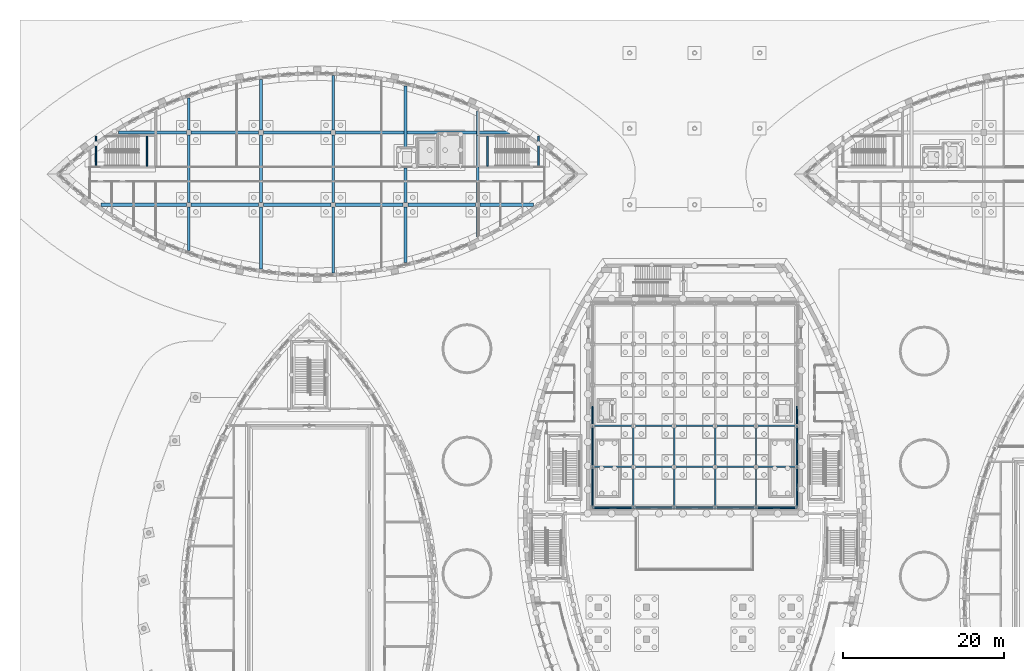
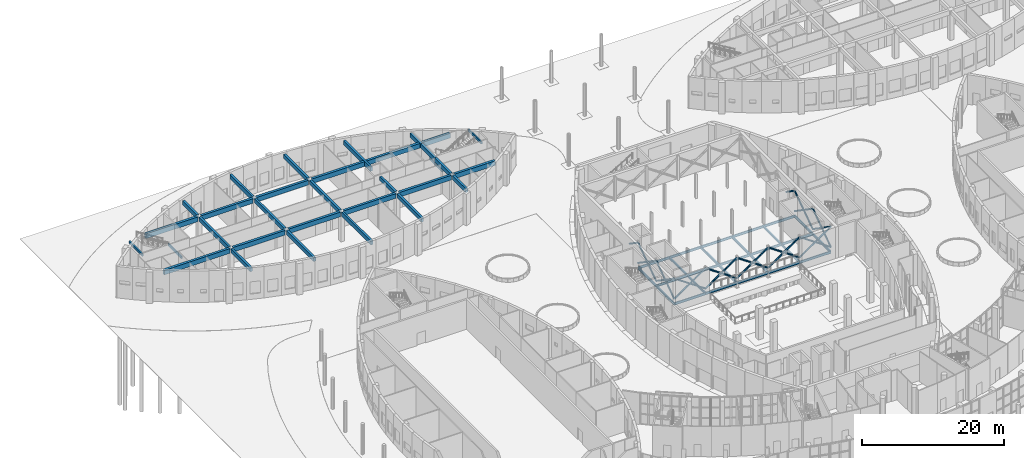
# One storey, part 25 of 82: 57 beams, 29 members.
"""IFC4 building model written with IfcOpenShell, lengths in metres."""

import ifcopenshell
import ifcopenshell.guid

model = None  # the IFC model being written
_history = None  # IfcOwnerHistory: only IFC2X3 demands one
_inside = {}  # id of a spatial element -> (the spatial element, [elements in it])
_under = {}  # id of a project, library or spatial element -> (it, [spatial elements below it])
_declared = {}  # id of a project -> (the project, [libraries it declares])
_typed = {}  # id of a type object -> (the type object, [elements of that type])
_made_of = {}  # id of a material, layer set ... -> (it, [elements and type objects made of it])


def new_model(schema):
    """Start an empty IFC model of exactly this schema.

    Asked for "IFC4X3", IfcOpenShell would pick the latest addendum, in which some entities
    have other attributes; the version numbers below select the first issue.
    IFC2X3 requires an IfcOwnerHistory on every rooted entity: one is made here for all.
    """
    global model, _history
    if schema == "IFC4X3":
        model = ifcopenshell.file(schema_version=(4, 3, 0, 0))
    else:
        model = ifcopenshell.file(schema=schema)
    _inside.clear()
    _under.clear()
    _declared.clear()
    _typed.clear()
    _made_of.clear()
    _history = None
    if model.schema == "IFC2X3":
        org = make("IfcOrganization", Name="unknown")
        user = make(
            "IfcPersonAndOrganization",
            ThePerson=make("IfcPerson", FamilyName="unknown"),
            TheOrganization=org,
        )
        app = make(
            "IfcApplication",
            ApplicationDeveloper=org,
            Version="unknown",
            ApplicationFullName="unknown",
            ApplicationIdentifier="unknown",
        )
        _history = make(
            "IfcOwnerHistory",
            OwningUser=user,
            OwningApplication=app,
            ChangeAction="ADDED",
            CreationDate=0,
        )
    return model


def make(cls, **values):
    """One entity of the class cls with the attributes given. An attribute that is None is left unset."""
    return model.create_entity(
        cls, **{name: value for name, value in values.items() if value is not None}
    )


def rooted(cls, **values):
    """An entity with a GlobalId (a new one), such as an element, a storey or a relation."""
    return make(cls, GlobalId=ifcopenshell.guid.new(), OwnerHistory=_history, **values)


def si_unit(unit_type, name, prefix=None):
    """IfcSIUnit, for example si_unit("LENGTHUNIT", "METRE", prefix="MILLI")."""
    return make("IfcSIUnit", UnitType=unit_type, Prefix=prefix, Name=name)


def assignment(units):
    """IfcUnitAssignment: the units of a project."""
    return None if units is None else make("IfcUnitAssignment", Units=units)


def point(xyz):
    """IfcCartesianPoint."""
    return None if xyz is None else make("IfcCartesianPoint", Coordinates=xyz)


def direction(xyz):
    """IfcDirection."""
    return None if xyz is None else make("IfcDirection", DirectionRatios=xyz)


def frame(location, z_axis=None, x_axis=None):
    """IfcAxis2Placement3D, a coordinate frame: its origin and axes. An axis left out is left unset."""
    return make(
        "IfcAxis2Placement3D",
        Location=point(location),
        Axis=direction(z_axis),
        RefDirection=direction(x_axis),
    )


def frame_2d(location, x_axis=None):
    """IfcAxis2Placement2D, a coordinate frame in the plane: its origin and x axis."""
    return make(
        "IfcAxis2Placement2D", Location=point(location), RefDirection=direction(x_axis)
    )


def origin():
    """The frame at (0, 0, 0) with its axes left unset."""
    return frame((0.0, 0.0, 0.0))


def origin_2d():
    """The frame at (0, 0) in the plane with its x axis left unset."""
    return frame_2d((0.0, 0.0))


def place(relative_to, where):
    """IfcLocalPlacement: puts the frame where relative to a parent placement (None: the world)."""
    return make(
        "IfcLocalPlacement", PlacementRelTo=relative_to, RelativePlacement=where
    )


def context(
    kind, dimensions, precision=None, world=None, true_north=None, identifier=None
):
    """IfcGeometricRepresentationContext, for example the 3D "Model" context."""
    return make(
        "IfcGeometricRepresentationContext",
        ContextIdentifier=identifier,
        ContextType=kind,
        CoordinateSpaceDimension=dimensions,
        Precision=precision,
        WorldCoordinateSystem=world,
        TrueNorth=true_north,
    )


def subcontext(parent, identifier, kind, view, scale=None):
    """IfcGeometricRepresentationSubContext, for example "Body" below "Model"."""
    return make(
        "IfcGeometricRepresentationSubContext",
        ContextIdentifier=identifier,
        ContextType=kind,
        ParentContext=parent,
        TargetScale=scale,
        TargetView=view,
    )


def project(units=None, contexts=None):
    """IfcProject with its units and contexts."""
    return rooted(
        "IfcProject",
        Name="project",
        RepresentationContexts=contexts,
        UnitsInContext=assignment(units),
    )


def spatial(cls, under=None, at=None, **own):
    """A site, building, storey or space (cls), placed at a placement, below another one or the project."""
    s = rooted(cls, ObjectPlacement=at, **own)
    if under is not None:
        _under.setdefault(under.id(), (under, []))[1].append(s)
    return s


def profile(cls, at=None, kind="AREA", **sizes):
    """A parametric profile (cls). Its sizes go by their IFC names, for example OverallWidth=200.0."""
    return make(cls, ProfileType=kind, Position=at, **sizes)


def rectangle(**sizes):
    """IfcRectangleProfileDef."""
    return profile("IfcRectangleProfileDef", **sizes)


def hollow_circle(**sizes):
    """IfcCircleHollowProfileDef."""
    return profile("IfcCircleHollowProfileDef", **sizes)


def i_section(**sizes):
    """IfcIShapeProfileDef."""
    return profile("IfcIShapeProfileDef", **sizes)


def extrude(swept, where, along, depth):
    """IfcExtrudedAreaSolid: the profile swept, set in the frame where, extruded along a direction by depth."""
    return make(
        "IfcExtrudedAreaSolid",
        SweptArea=swept,
        Position=where,
        ExtrudedDirection=direction(along),
        Depth=depth,
    )


def shape(context_of_items, identifier, shape_type, items):
    """IfcShapeRepresentation: the items that make up one representation, for example the "Body"."""
    return make(
        "IfcShapeRepresentation",
        ContextOfItems=context_of_items,
        RepresentationIdentifier=identifier,
        RepresentationType=shape_type,
        Items=items,
    )


def material(Name=None, Category=None):
    """IfcMaterial."""
    return make("IfcMaterial", Name=Name, Category=Category)


def material_profile(
    of_material, cross_section, Name=None, Category=None, Priority=None
):
    """IfcMaterialProfile: a cross section and its material."""
    return make(
        "IfcMaterialProfile",
        Name=Name,
        Material=of_material,
        Profile=cross_section,
        Priority=Priority,
        Category=Category,
    )


def profile_set(profiles, Name=None, composite=None):
    """IfcMaterialProfileSet."""
    return make(
        "IfcMaterialProfileSet",
        Name=Name,
        MaterialProfiles=profiles,
        CompositeProfile=composite,
    )


def made_of(thing, what):
    """Note that an element or type object is made of a material, layer set ...; save() writes the relation."""
    if what is not None:
        _made_of.setdefault(what.id(), (what, []))[1].append(thing)
    return thing


def type_object(cls, material=None, **own):
    """A type object (cls), such as IfcWallType, which elements share."""
    return made_of(rooted(cls, **own), material)


def element(
    cls,
    number,
    at=None,
    inside=None,
    cuts=None,
    type_object=None,
    material=None,
    context=None,
    identifier="Body",
    shape_type=None,
    held_by="IfcProductDefinitionShape",
    body=None,
    shapes=None,
    **own,
):
    """One element of the class cls, such as IfcWall. Its Tag is "e" and its number.

    at: its placement. inside: the storey or other place that contains it. cuts: it is an
    opening in that element (IfcRelVoidsElement). A single representation is given by context,
    identifier, shape_type and body (its items); several are given by shapes. held_by: the class
    of the entity that holds the representations. save() writes the other relations.
    """
    e = rooted(cls, Tag="e%d" % number, ObjectPlacement=at, **own)
    if body is not None:
        shapes = [shape(context, identifier, shape_type, body)]
    if shapes is not None:
        e.Representation = make(held_by, Representations=shapes)
    if inside is not None:
        _inside.setdefault(inside.id(), (inside, []))[1].append(e)
    if cuts is not None:
        rooted(
            "IfcRelVoidsElement", RelatingBuildingElement=cuts, RelatedOpeningElement=e
        )
    if type_object is not None:
        _typed.setdefault(type_object.id(), (type_object, []))[1].append(e)
    return made_of(e, material)


def aggregate(whole, parts):
    """IfcRelAggregates: a whole, such as a stair, and the parts it consists of."""
    return rooted("IfcRelAggregates", RelatingObject=whole, RelatedObjects=parts)


def save(model, path):
    """Write the relations noted so far, then the file.

    IfcRelAggregates (storeys below a building ...), IfcRelContainedInSpatialStructure (elements
    in a storey), IfcRelDefinesByType, IfcRelAssociatesMaterial and IfcRelDeclares: one each for
    every whole, place, type object, material and project.
    """
    for whole, parts in _under.values():
        aggregate(whole, parts)
    for where, things in _inside.values():
        rooted(
            "IfcRelContainedInSpatialStructure",
            RelatedElements=things,
            RelatingStructure=where,
        )
    for kind, things in _typed.values():
        rooted("IfcRelDefinesByType", RelatedObjects=things, RelatingType=kind)
    for what, things in _made_of.values():
        rooted("IfcRelAssociatesMaterial", RelatedObjects=things, RelatingMaterial=what)
    for by, libraries in _declared.values():
        rooted("IfcRelDeclares", RelatingContext=by, RelatedDefinitions=libraries)
    model.write(path)


model = new_model("IFC4")

# Units and contexts
model_context = context("Model", 3, precision=1e-05, world=origin(), true_north=direction((0.0, 1.0)))
body_context = subcontext(model_context, "Body", "Model", "MODEL_VIEW")
ifc_project = project(units=[si_unit("LENGTHUNIT", "METRE"), si_unit("AREAUNIT", "SQUARE_METRE"), si_unit("VOLUMEUNIT", "CUBIC_METRE"), si_unit("PLANEANGLEUNIT", "RADIAN"), si_unit("MASSUNIT", "GRAM", prefix="KILO")], contexts=[model_context])

# Site, building, storey
site_placement = place(None, origin())
site = spatial("IfcSite", under=ifc_project, at=site_placement, CompositionType="ELEMENT")
building_placement = place(site_placement, origin())
building = spatial("IfcBuilding", under=site, at=building_placement, Name="Tide Square Theatres", CompositionType="ELEMENT")
storey_placement = place(building_placement, origin())
storey = spatial("IfcBuildingStorey", under=building, at=storey_placement, Name="L00", CompositionType="ELEMENT", Elevation=0.0)

# Beams
ifc_material_1 = material(Name="Concrete C35", Category="concrete")
ifc_material_profile_1 = material_profile(ifc_material_1, rectangle(XDim=0.199951171875, YDim=0.39990234375, at=origin_2d()))
ifc_profile_set_1 = profile_set([ifc_material_profile_1], Name="Concrete C35")
beam_type_1 = type_object("IfcBeamType", Name="RC beam 200 x 400", PredefinedType="BEAM", material=ifc_profile_set_1)
for number, where, z_axis, x_axis, name in (
    (1, (9.449951171875, 98.800048828125, 4.919921875), (0.0, 1.0, 0.0), (-1.0, 0.0, 0.0), "Scenery Workshops stair floor landing beam"),
    (2, (15.799560546875, 98.800048828125, 2.300048828125), (0.0, 1.0, 0.0), (-1.0, 0.0, 0.0), "Scenery Workshops stair landing beam"),
    (3, (64.550048828125, 102.550048828125, 4.919921875), (0.0, -1.0, 0.0), (1.0, 0.0, 0.0), "Scenery Workshops stair floor landing beam"),
    (4, (58.200439453125, 98.800048828125, 2.300048828125), (0.0, 1.0, 0.0), (-1.0, 0.0, 0.0), "Scenery Workshops stair landing beam"),
):
    element("IfcBeam", number, at=place(storey_placement, frame(where, z_axis=z_axis, x_axis=x_axis)), inside=storey, type_object=beam_type_1, Name=name, PredefinedType="BEAM", context=body_context, shape_type="SweptSolid", body=[
        extrude(rectangle(XDim=0.199951171875, YDim=0.39990234375, at=origin_2d()), origin(), (0.0, 0.0, 1.0), 3.75),
    ])
ifc_material_2 = material(Name="Concrete C35", Category="concrete")
ifc_material_profile_2 = material_profile(ifc_material_2, rectangle(XDim=0.35009765625, YDim=0.699951171875, at=origin_2d()))
ifc_profile_set_2 = profile_set([ifc_material_profile_2], Name="Concrete C35")
beam_type_2 = type_object("IfcBeamType", Name="RC beam 350 x 700", PredefinedType="BEAM", material=ifc_profile_set_2)
beam_1_placement = place(storey_placement, frame((21.0, 88.2958984375, 4.77001953125), z_axis=(0.0, 1.0, 0.0), x_axis=(-1.0, 0.0, 0.0)))
element("IfcBeam", 5, at=beam_1_placement, inside=storey, type_object=beam_type_2, Name="Scenery Workshops floor beam L01 11", PredefinedType="BEAM", context=body_context, shape_type="SweptSolid", body=[
    extrude(rectangle(XDim=0.35009765625, YDim=0.699951171875, at=origin_2d()), origin(), (0.0, 0.0, 1.0), 5.404052734375),
])
beam_2_placement = place(storey_placement, frame((21.0, 94.300048828125, 4.77001953125), z_axis=(0.0, 1.0, 0.0), x_axis=(-1.0, 0.0, 0.0)))
element("IfcBeam", 6, at=beam_2_placement, inside=storey, type_object=beam_type_2, Name="Scenery Workshops floor beam L01 12", PredefinedType="BEAM", context=body_context, shape_type="SweptSolid", body=[
    extrude(rectangle(XDim=0.35009765625, YDim=0.699951171875, at=origin_2d()), origin(), (0.0, 0.0, 1.0), 8.39990234375),
])
beam_3_placement = place(storey_placement, frame((21.0, 103.300048828125, 4.77001953125), z_axis=(0.0, 1.0, 0.0), x_axis=(-1.0, 0.0, 0.0)))
element("IfcBeam", 7, at=beam_3_placement, inside=storey, type_object=beam_type_2, Name="Scenery Workshops floor beam L01 13", PredefinedType="BEAM", context=body_context, shape_type="SweptSolid", body=[
    extrude(rectangle(XDim=0.35009765625, YDim=0.699951171875, at=origin_2d()), origin(), (0.0, 0.0, 1.0), 4.004150390625),
])
beam_4_placement = place(storey_placement, frame((30.0, 85.99267578125, 4.77001953125), z_axis=(0.0, 1.0, 0.0), x_axis=(-1.0, 0.0, 0.0)))
element("IfcBeam", 8, at=beam_4_placement, inside=storey, type_object=beam_type_2, Name="Scenery Workshops floor beam L01 14", PredefinedType="BEAM", context=body_context, shape_type="SweptSolid", body=[
    extrude(rectangle(XDim=0.35009765625, YDim=0.699951171875, at=origin_2d()), origin(), (0.0, 0.0, 1.0), 7.707275390625),
])
beam_5_placement = place(storey_placement, frame((30.0, 94.300048828125, 4.77001953125), z_axis=(0.0, 1.0, 0.0), x_axis=(-1.0, 0.0, 0.0)))
element("IfcBeam", 9, at=beam_5_placement, inside=storey, type_object=beam_type_2, Name="Scenery Workshops floor beam L01 15", PredefinedType="BEAM", context=body_context, shape_type="SweptSolid", body=[
    extrude(rectangle(XDim=0.35009765625, YDim=0.699951171875, at=origin_2d()), origin(), (0.0, 0.0, 1.0), 8.39990234375),
])
beam_6_placement = place(storey_placement, frame((30.0, 103.300048828125, 4.77001953125), z_axis=(0.0, 1.0, 0.0), x_axis=(-1.0, 0.0, 0.0)))
element("IfcBeam", 10, at=beam_6_placement, inside=storey, type_object=beam_type_2, Name="Scenery Workshops floor beam L01 16", PredefinedType="BEAM", context=body_context, shape_type="SweptSolid", body=[
    extrude(rectangle(XDim=0.35009765625, YDim=0.699951171875, at=origin_2d()), origin(), (0.0, 0.0, 1.0), 6.30712890625),
])
beam_7_placement = place(storey_placement, frame((39.0, 85.501708984375, 4.77001953125), z_axis=(0.0, 1.0, 0.0), x_axis=(-1.0, 0.0, 0.0)))
element("IfcBeam", 11, at=beam_7_placement, inside=storey, type_object=beam_type_2, Name="Scenery Workshops floor beam L01 17", PredefinedType="BEAM", context=body_context, shape_type="SweptSolid", body=[
    extrude(rectangle(XDim=0.35009765625, YDim=0.699951171875, at=origin_2d()), origin(), (0.0, 0.0, 1.0), 8.1982421875),
])
beam_8_placement = place(storey_placement, frame((39.0, 94.300048828125, 4.77001953125), z_axis=(0.0, 1.0, 0.0), x_axis=(-1.0, 0.0, 0.0)))
element("IfcBeam", 12, at=beam_8_placement, inside=storey, type_object=beam_type_2, Name="Scenery Workshops floor beam L01 18", PredefinedType="BEAM", context=body_context, shape_type="SweptSolid", body=[
    extrude(rectangle(XDim=0.35009765625, YDim=0.699951171875, at=origin_2d()), origin(), (0.0, 0.0, 1.0), 8.39990234375),
])
beam_9_placement = place(storey_placement, frame((39.0, 103.300048828125, 4.77001953125), z_axis=(0.0, 1.0, 0.0), x_axis=(-1.0, 0.0, 0.0)))
element("IfcBeam", 13, at=beam_9_placement, inside=storey, type_object=beam_type_2, Name="Scenery Workshops floor beam L01 19", PredefinedType="BEAM", context=body_context, shape_type="SweptSolid", body=[
    extrude(rectangle(XDim=0.35009765625, YDim=0.699951171875, at=origin_2d()), origin(), (0.0, 0.0, 1.0), 6.79833984375),
])
beam_10_placement = place(storey_placement, frame((48.0, 86.7958984375, 4.77001953125), z_axis=(0.0, 1.0, 0.0), x_axis=(-1.0, 0.0, 0.0)))
element("IfcBeam", 14, at=beam_10_placement, inside=storey, type_object=beam_type_2, Name="Scenery Workshops floor beam L01 20", PredefinedType="BEAM", context=body_context, shape_type="SweptSolid", body=[
    extrude(rectangle(XDim=0.35009765625, YDim=0.699951171875, at=origin_2d()), origin(), (0.0, 0.0, 1.0), 6.904052734375),
])
beam_11_placement = place(storey_placement, frame((48.0, 94.300048828125, 4.77001953125), z_axis=(0.0, 1.0, 0.0), x_axis=(-1.0, 0.0, 0.0)))
element("IfcBeam", 15, at=beam_11_placement, inside=storey, type_object=beam_type_2, Name="Scenery Workshops floor beam L01 21", PredefinedType="BEAM", context=body_context, shape_type="SweptSolid", body=[
    extrude(rectangle(XDim=0.35009765625, YDim=0.699951171875, at=origin_2d()), origin(), (0.0, 0.0, 1.0), 4.300048828125),
])
beam_12_placement = place(storey_placement, frame((48.0, 101.199951171875, 4.77001953125), z_axis=(0.0, 1.0, 0.0), x_axis=(-1.0, 0.0, 0.0)))
element("IfcBeam", 16, at=beam_12_placement, inside=storey, type_object=beam_type_2, Name="Scenery Workshops floor beam L01 22", PredefinedType="BEAM", context=body_context, shape_type="SweptSolid", body=[
    extrude(rectangle(XDim=0.35009765625, YDim=0.699951171875, at=origin_2d()), origin(), (0.0, 0.0, 1.0), 7.60400390625),
])
beam_13_placement = place(storey_placement, frame((57.0, 89.957763671875, 4.77001953125), z_axis=(0.0, 1.0, 0.0), x_axis=(-1.0, 0.0, 0.0)))
element("IfcBeam", 17, at=beam_13_placement, inside=storey, type_object=beam_type_2, Name="Scenery Workshops floor beam L01 23", PredefinedType="BEAM", context=body_context, shape_type="SweptSolid", body=[
    extrude(rectangle(XDim=0.35009765625, YDim=0.699951171875, at=origin_2d()), origin(), (0.0, 0.0, 1.0), 3.7421875),
])
beam_14_placement = place(storey_placement, frame((57.0, 94.300048828125, 4.77001953125), z_axis=(0.0, 1.0, 0.0), x_axis=(-1.0, 0.0, 0.0)))
element("IfcBeam", 18, at=beam_14_placement, inside=storey, type_object=beam_type_2, Name="Scenery Workshops floor beam L01 24", PredefinedType="BEAM", context=body_context, shape_type="SweptSolid", body=[
    extrude(rectangle(XDim=0.35009765625, YDim=0.699951171875, at=origin_2d()), origin(), (0.0, 0.0, 1.0), 4.39990234375),
])
beam_15_placement = place(storey_placement, frame((57.0, 98.699951171875, 4.77001953125), z_axis=(0.0, 1.0, 0.0), x_axis=(-1.0, 0.0, 0.0)))
element("IfcBeam", 19, at=beam_15_placement, inside=storey, type_object=beam_type_2, Name="Scenery Workshops floor beam L01 25", PredefinedType="BEAM", context=body_context, shape_type="SweptSolid", body=[
    extrude(rectangle(XDim=0.35009765625, YDim=0.699951171875, at=origin_2d()), origin(), (0.0, 0.0, 1.0), 3.949951171875),
])
beam_16_placement = place(storey_placement, frame((57.0, 102.64990234375, 4.77001953125), z_axis=(0.0, 1.0, 0.0), x_axis=(-1.0, 0.0, 0.0)))
element("IfcBeam", 20, at=beam_16_placement, inside=storey, type_object=beam_type_2, Name="Scenery Workshops floor beam L01 26", PredefinedType="BEAM", context=body_context, shape_type="SweptSolid", body=[
    extrude(rectangle(XDim=0.35009765625, YDim=0.699951171875, at=origin_2d()), origin(), (0.0, 0.0, 1.0), 2.9921875),
])
ifc_material_3 = material(Name="Concrete C35", Category="concrete")
ifc_material_profile_3 = material_profile(ifc_material_3, rectangle(XDim=0.39990234375, YDim=0.800048828125, at=origin_2d()))
ifc_profile_set_3 = profile_set([ifc_material_profile_3], Name="Concrete C35")
beam_type_3 = type_object("IfcBeamType", Name="RC beam 400 x 800", PredefinedType="BEAM", material=ifc_profile_set_3)
beam_17_placement = place(storey_placement, frame((10.08837890625, 94.0, 4.719970703125), z_axis=(1.0, 0.0, 0.0), x_axis=(0.0, 1.0, 0.0)))
element("IfcBeam", 21, at=beam_17_placement, inside=storey, type_object=beam_type_3, Name="Scenery Workshops floor beam L01 1", PredefinedType="BEAM", context=body_context, shape_type="SweptSolid", body=[
    extrude(rectangle(XDim=0.39990234375, YDim=0.800048828125, at=origin_2d()), origin(), (0.0, 0.0, 1.0), 10.611572265625),
])
for number, where, z_axis, x_axis, name in (
    (22, (21.300048828125, 94.0, 4.719970703125), (1.0, 0.0, 0.0), (0.0, 1.0, 0.0), "Scenery Workshops floor beam L01 2"),
    (23, (30.300048828125, 94.0, 4.719970703125), (1.0, 0.0, 0.0), (0.0, 1.0, 0.0), "Scenery Workshops floor beam L01 3"),
    (24, (39.300048828125, 94.0, 4.719970703125), (1.0, 0.0, 0.0), (0.0, 1.0, 0.0), "Scenery Workshops floor beam L01 4"),
    (25, (48.300048828125, 94.0, 4.719970703125), (1.0, 0.0, 0.0), (0.0, 1.0, 0.0), "Scenery Workshops floor beam L01 5"),
):
    element("IfcBeam", number, at=place(storey_placement, frame(where, z_axis=z_axis, x_axis=x_axis)), inside=storey, type_object=beam_type_3, Name=name, PredefinedType="BEAM", context=body_context, shape_type="SweptSolid", body=[
        extrude(rectangle(XDim=0.39990234375, YDim=0.800048828125, at=origin_2d()), origin(), (0.0, 0.0, 1.0), 8.39990234375),
    ])
beam_18_placement = place(storey_placement, frame((57.300048828125, 94.0, 4.719970703125), z_axis=(1.0, 0.0, 0.0), x_axis=(0.0, 1.0, 0.0)))
element("IfcBeam", 26, at=beam_18_placement, inside=storey, type_object=beam_type_3, Name="Scenery Workshops floor beam L01 6", PredefinedType="BEAM", context=body_context, shape_type="SweptSolid", body=[
    extrude(rectangle(XDim=0.39990234375, YDim=0.800048828125, at=origin_2d()), origin(), (0.0, 0.0, 1.0), 6.611572265625),
])
beam_19_placement = place(storey_placement, frame((12.257080078125, 103.0, 4.719970703125), z_axis=(1.0, 0.0, 0.0), x_axis=(0.0, 1.0, 0.0)))
element("IfcBeam", 27, at=beam_19_placement, inside=storey, type_object=beam_type_3, Name="Scenery Workshops floor beam L01 7", PredefinedType="BEAM", context=body_context, shape_type="SweptSolid", body=[
    extrude(rectangle(XDim=0.39990234375, YDim=0.800048828125, at=origin_2d()), origin(), (0.0, 0.0, 1.0), 8.44287109375),
])
for number, where, z_axis, x_axis, name in (
    (28, (21.300048828125, 103.0, 4.719970703125), (1.0, 0.0, 0.0), (0.0, 1.0, 0.0), "Scenery Workshops floor beam L01 8"),
    (29, (30.300048828125, 103.0, 4.719970703125), (1.0, 0.0, 0.0), (0.0, 1.0, 0.0), "Scenery Workshops floor beam L01 9"),
):
    element("IfcBeam", number, at=place(storey_placement, frame(where, z_axis=z_axis, x_axis=x_axis)), inside=storey, type_object=beam_type_3, Name=name, PredefinedType="BEAM", context=body_context, shape_type="SweptSolid", body=[
        extrude(rectangle(XDim=0.39990234375, YDim=0.800048828125, at=origin_2d()), origin(), (0.0, 0.0, 1.0), 8.39990234375),
    ])
beam_20_placement = place(storey_placement, frame((39.300048828125, 103.0, 4.719970703125), z_axis=(1.0, 0.0, 0.0), x_axis=(0.0, 1.0, 0.0)))
element("IfcBeam", 30, at=beam_20_placement, inside=storey, type_object=beam_type_3, Name="Scenery Workshops floor beam L01 10", PredefinedType="BEAM", context=body_context, shape_type="SweptSolid", body=[
    extrude(rectangle(XDim=0.39990234375, YDim=0.800048828125, at=origin_2d()), origin(), (0.0, 0.0, 1.0), 22.44287109375),
])
ifc_material_4 = material(Name="Steel ASTM A572 Grade 50", Category="steel")
ifc_material_profile_4 = material_profile(ifc_material_4, i_section(OverallWidth=0.177001953125, OverallDepth=0.403076171875, WebThickness=0.007568359375, FlangeThickness=0.010986328125, FilletRadius=0.011962890625, at=origin_2d()))
ifc_profile_set_4 = profile_set([ifc_material_profile_4], Name="Steel ASTM A572 Grade 50")
beam_type_4 = type_object("IfcBeamType", Name="Steel beam W 410 x 53.0", PredefinedType="BEAM", material=ifc_profile_set_4)
for number, where, z_axis, x_axis, name in (
    (31, (71.27587890625, 56.27587890625, 0.698486328125), (1.0, 0.0, 0.0), (0.0, 1.0, 0.0), "Stage floor beam"),
    (32, (76.365478515625, 56.27587890625, 0.698486328125), (1.0, 0.0, 0.0), (0.0, 1.0, 0.0), "Stage floor beam"),
):
    element("IfcBeam", number, at=place(storey_placement, frame(where, z_axis=z_axis, x_axis=x_axis)), inside=storey, type_object=beam_type_4, Name=name, PredefinedType="BEAM", context=body_context, shape_type="SweptSolid", body=[
        extrude(i_section(OverallWidth=0.177001953125, OverallDepth=0.403076171875, WebThickness=0.007568359375, FlangeThickness=0.010986328125, FilletRadius=0.011962890625, at=origin_2d()), origin(), (0.0, 0.0, 1.0), 5.089599609375),
    ])
beam_21_placement = place(storey_placement, frame((81.455078125, 56.27587890625, 0.698486328125), z_axis=(1.0, 0.0, 0.0), x_axis=(0.0, 1.0, 0.0)))
element("IfcBeam", 33, at=beam_21_placement, inside=storey, type_object=beam_type_4, Name="Stage floor beam", PredefinedType="BEAM", context=body_context, shape_type="SweptSolid", body=[
    extrude(i_section(OverallWidth=0.177001953125, OverallDepth=0.403076171875, WebThickness=0.007568359375, FlangeThickness=0.010986328125, FilletRadius=0.011962890625, at=origin_2d()), origin(), (0.0, 0.0, 1.0), 5.08984375),
])
for number, where, z_axis, x_axis, name in (
    (34, (86.544921875, 56.27587890625, 0.698486328125), (1.0, 0.0, 0.0), (0.0, 1.0, 0.0), "Stage floor beam"),
    (35, (91.634521484375, 56.27587890625, 0.698486328125), (1.0, 0.0, 0.0), (0.0, 1.0, 0.0), "Stage floor beam"),
    (36, (71.27587890625, 61.365478515625, 0.698486328125), (1.0, 0.0, 0.0), (0.0, 1.0, 0.0), "Stage floor beam"),
    (37, (76.365478515625, 61.365478515625, 0.698486328125), (1.0, 0.0, 0.0), (0.0, 1.0, 0.0), "Stage floor beam"),
):
    element("IfcBeam", number, at=place(storey_placement, frame(where, z_axis=z_axis, x_axis=x_axis)), inside=storey, type_object=beam_type_4, Name=name, PredefinedType="BEAM", context=body_context, shape_type="SweptSolid", body=[
        extrude(i_section(OverallWidth=0.177001953125, OverallDepth=0.403076171875, WebThickness=0.007568359375, FlangeThickness=0.010986328125, FilletRadius=0.011962890625, at=origin_2d()), origin(), (0.0, 0.0, 1.0), 5.089599609375),
    ])
beam_22_placement = place(storey_placement, frame((81.455078125, 61.365478515625, 0.698486328125), z_axis=(1.0, 0.0, 0.0), x_axis=(0.0, 1.0, 0.0)))
element("IfcBeam", 38, at=beam_22_placement, inside=storey, type_object=beam_type_4, Name="Stage floor beam", PredefinedType="BEAM", context=body_context, shape_type="SweptSolid", body=[
    extrude(i_section(OverallWidth=0.177001953125, OverallDepth=0.403076171875, WebThickness=0.007568359375, FlangeThickness=0.010986328125, FilletRadius=0.011962890625, at=origin_2d()), origin(), (0.0, 0.0, 1.0), 5.08984375),
])
for number, where, z_axis, x_axis, name in (
    (39, (86.544921875, 61.365478515625, 0.698486328125), (1.0, 0.0, 0.0), (0.0, 1.0, 0.0), "Stage floor beam"),
    (40, (91.634521484375, 61.365478515625, 0.698486328125), (1.0, 0.0, 0.0), (0.0, 1.0, 0.0), "Stage floor beam"),
    (41, (71.27587890625, 66.455078125, 0.698486328125), (1.0, 0.0, 0.0), (0.0, 1.0, 0.0), "Stage floor beam"),
    (42, (76.365478515625, 66.455078125, 0.698486328125), (1.0, 0.0, 0.0), (0.0, 1.0, 0.0), "Stage floor beam"),
):
    element("IfcBeam", number, at=place(storey_placement, frame(where, z_axis=z_axis, x_axis=x_axis)), inside=storey, type_object=beam_type_4, Name=name, PredefinedType="BEAM", context=body_context, shape_type="SweptSolid", body=[
        extrude(i_section(OverallWidth=0.177001953125, OverallDepth=0.403076171875, WebThickness=0.007568359375, FlangeThickness=0.010986328125, FilletRadius=0.011962890625, at=origin_2d()), origin(), (0.0, 0.0, 1.0), 5.089599609375),
    ])
beam_23_placement = place(storey_placement, frame((81.455078125, 66.455078125, 0.698486328125), z_axis=(1.0, 0.0, 0.0), x_axis=(0.0, 1.0, 0.0)))
element("IfcBeam", 43, at=beam_23_placement, inside=storey, type_object=beam_type_4, Name="Stage floor beam", PredefinedType="BEAM", context=body_context, shape_type="SweptSolid", body=[
    extrude(i_section(OverallWidth=0.177001953125, OverallDepth=0.403076171875, WebThickness=0.007568359375, FlangeThickness=0.010986328125, FilletRadius=0.011962890625, at=origin_2d()), origin(), (0.0, 0.0, 1.0), 5.08984375),
])
for number, where, z_axis, x_axis, name in (
    (44, (86.544921875, 66.455078125, 0.698486328125), (1.0, 0.0, 0.0), (0.0, 1.0, 0.0), "Stage floor beam"),
    (45, (91.634521484375, 66.455078125, 0.698486328125), (1.0, 0.0, 0.0), (0.0, 1.0, 0.0), "Stage floor beam"),
    (46, (71.27587890625, 56.27587890625, 0.698486328125), (0.0, 1.0, 0.0), (-1.0, 0.0, 0.0), "Stage floor beam"),
    (47, (71.27587890625, 61.365478515625, 0.698486328125), (0.0, 1.0, 0.0), (-1.0, 0.0, 0.0), "Stage floor beam"),
    (48, (76.365478515625, 56.27587890625, 0.698486328125), (0.0, 1.0, 0.0), (-1.0, 0.0, 0.0), "Stage floor beam"),
    (49, (76.365478515625, 61.365478515625, 0.698486328125), (0.0, 1.0, 0.0), (-1.0, 0.0, 0.0), "Stage floor beam"),
    (50, (81.455078125, 56.27587890625, 0.698486328125), (0.0, 1.0, 0.0), (-1.0, 0.0, 0.0), "Stage floor beam"),
    (51, (81.455078125, 61.365478515625, 0.698486328125), (0.0, 1.0, 0.0), (-1.0, 0.0, 0.0), "Stage floor beam"),
    (52, (86.544921875, 56.27587890625, 0.698486328125), (0.0, 1.0, 0.0), (-1.0, 0.0, 0.0), "Stage floor beam"),
    (53, (86.544921875, 61.365478515625, 0.698486328125), (0.0, 1.0, 0.0), (-1.0, 0.0, 0.0), "Stage floor beam"),
    (54, (91.634521484375, 56.27587890625, 0.698486328125), (0.0, 1.0, 0.0), (-1.0, 0.0, 0.0), "Stage floor beam"),
    (55, (91.634521484375, 61.365478515625, 0.698486328125), (0.0, 1.0, 0.0), (-1.0, 0.0, 0.0), "Stage floor beam"),
    (56, (96.72412109375, 56.27587890625, 0.698486328125), (0.0, 1.0, 0.0), (-1.0, 0.0, 0.0), "Stage floor beam"),
    (57, (96.72412109375, 61.365478515625, 0.698486328125), (0.0, 1.0, 0.0), (-1.0, 0.0, 0.0), "Stage floor beam"),
):
    element("IfcBeam", number, at=place(storey_placement, frame(where, z_axis=z_axis, x_axis=x_axis)), inside=storey, type_object=beam_type_4, Name=name, PredefinedType="BEAM", context=body_context, shape_type="SweptSolid", body=[
        extrude(i_section(OverallWidth=0.177001953125, OverallDepth=0.403076171875, WebThickness=0.007568359375, FlangeThickness=0.010986328125, FilletRadius=0.011962890625, at=origin_2d()), origin(), (0.0, 0.0, 1.0), 5.089599609375),
    ])

# Members
ifc_material_5 = material(Name="Steel ASTM A500 Grade C", Category="steel")
ifc_material_profile_5 = material_profile(ifc_material_5, hollow_circle(Radius=0.136474609375, WallThickness=0.012451171875, at=origin_2d()))
ifc_profile_set_5 = profile_set([ifc_material_profile_5], Name="Steel ASTM A500 Grade C")
member_type = type_object("IfcMemberType", Name="Steel brace CHS 273.0 x 12.5", PredefinedType="BRACE", material=ifc_profile_set_5)
member_1_placement = place(storey_placement, frame((71.27587890625, 56.27587890625, 1.550048828125), z_axis=(0.823973876859, 0.0, 0.566627788106), x_axis=(0.0, 1.0, 0.0)))
element("IfcMember", 58, at=member_1_placement, inside=storey, type_object=member_type, Name="Fly tower brace", PredefinedType="BRACE", context=body_context, shape_type="SweptSolid", body=[
    extrude(hollow_circle(Radius=0.136474609375, WallThickness=0.012451171875, at=origin_2d()), origin(), (0.0, 0.0, 1.0), 6.177001953125),
])
member_2_placement = place(storey_placement, frame((76.365478515625, 56.27587890625, 1.550048828125), z_axis=(-0.823960869404, 0.0, 0.56664670271), x_axis=(0.0, -1.0, 0.0)))
element("IfcMember", 59, at=member_2_placement, inside=storey, type_object=member_type, Name="Fly tower brace", PredefinedType="BRACE", context=body_context, shape_type="SweptSolid", body=[
    extrude(hollow_circle(Radius=0.136474609375, WallThickness=0.012451171875, at=origin_2d()), origin(), (0.0, 0.0, 1.0), 2.900390625),
])
member_3_placement = place(storey_placement, frame((73.666015625, 56.27587890625, 3.406494140625), z_axis=(-0.82398789329, 0.0, 0.566607405274), x_axis=(0.0, -1.0, 0.0)))
element("IfcMember", 60, at=member_3_placement, inside=storey, type_object=member_type, Name="Fly tower brace", PredefinedType="BRACE", context=body_context, shape_type="SweptSolid", body=[
    extrude(hollow_circle(Radius=0.136474609375, WallThickness=0.012451171875, at=origin_2d()), origin(), (0.0, 0.0, 1.0), 2.900634765625),
])
member_4_placement = place(storey_placement, frame((76.365478515625, 56.27587890625, 1.550048828125), z_axis=(0.823973876859, 0.0, 0.566627788106), x_axis=(0.0, 1.0, 0.0)))
element("IfcMember", 61, at=member_4_placement, inside=storey, type_object=member_type, Name="Fly tower brace", PredefinedType="BRACE", context=body_context, shape_type="SweptSolid", body=[
    extrude(hollow_circle(Radius=0.136474609375, WallThickness=0.012451171875, at=origin_2d()), origin(), (0.0, 0.0, 1.0), 6.177001953125),
])
member_5_placement = place(storey_placement, frame((81.455078125, 56.27587890625, 1.550048828125), z_axis=(-0.823960869404, 0.0, 0.56664670271), x_axis=(0.0, -1.0, 0.0)))
element("IfcMember", 62, at=member_5_placement, inside=storey, type_object=member_type, Name="Fly tower brace", PredefinedType="BRACE", context=body_context, shape_type="SweptSolid", body=[
    extrude(hollow_circle(Radius=0.136474609375, WallThickness=0.012451171875, at=origin_2d()), origin(), (0.0, 0.0, 1.0), 2.900390625),
])
member_6_placement = place(storey_placement, frame((78.755615234375, 56.27587890625, 3.406494140625), z_axis=(-0.82398789329, 0.0, 0.566607405274), x_axis=(0.0, -1.0, 0.0)))
element("IfcMember", 63, at=member_6_placement, inside=storey, type_object=member_type, Name="Fly tower brace", PredefinedType="BRACE", context=body_context, shape_type="SweptSolid", body=[
    extrude(hollow_circle(Radius=0.136474609375, WallThickness=0.012451171875, at=origin_2d()), origin(), (0.0, 0.0, 1.0), 2.900634765625),
])
member_7_placement = place(storey_placement, frame((81.455078125, 56.27587890625, 1.550048828125), z_axis=(0.823986566356, 0.0, 0.566609334961), x_axis=(0.0, 1.0, 0.0)))
element("IfcMember", 64, at=member_7_placement, inside=storey, type_object=member_type, Name="Fly tower brace", PredefinedType="BRACE", context=body_context, shape_type="SweptSolid", body=[
    extrude(hollow_circle(Radius=0.136474609375, WallThickness=0.012451171875, at=origin_2d()), origin(), (0.0, 0.0, 1.0), 6.177001953125),
])
for number, where, z_axis, x_axis, name in (
    (65, (86.544921875, 56.27587890625, 1.550048828125), (-0.82398789329, 0.0, 0.566607405274), (0.0, -1.0, 0.0), "Fly tower brace"),
    (66, (83.84521484375, 56.27587890625, 3.406494140625), (-0.82398789329, 0.0, 0.566607405274), (0.0, -1.0, 0.0), "Fly tower brace"),
):
    element("IfcMember", number, at=place(storey_placement, frame(where, z_axis=z_axis, x_axis=x_axis)), inside=storey, type_object=member_type, Name=name, PredefinedType="BRACE", context=body_context, shape_type="SweptSolid", body=[
        extrude(hollow_circle(Radius=0.136474609375, WallThickness=0.012451171875, at=origin_2d()), origin(), (0.0, 0.0, 1.0), 2.900634765625),
    ])
member_8_placement = place(storey_placement, frame((86.544921875, 56.27587890625, 1.550048828125), z_axis=(0.823973876859, 0.0, 0.566627788106), x_axis=(0.0, 1.0, 0.0)))
element("IfcMember", 67, at=member_8_placement, inside=storey, type_object=member_type, Name="Fly tower brace", PredefinedType="BRACE", context=body_context, shape_type="SweptSolid", body=[
    extrude(hollow_circle(Radius=0.136474609375, WallThickness=0.012451171875, at=origin_2d()), origin(), (0.0, 0.0, 1.0), 6.177001953125),
])
member_9_placement = place(storey_placement, frame((91.634521484375, 56.27587890625, 1.550048828125), z_axis=(-0.82398789329, 0.0, 0.566607405274), x_axis=(0.0, -1.0, 0.0)))
element("IfcMember", 68, at=member_9_placement, inside=storey, type_object=member_type, Name="Fly tower brace", PredefinedType="BRACE", context=body_context, shape_type="SweptSolid", body=[
    extrude(hollow_circle(Radius=0.136474609375, WallThickness=0.012451171875, at=origin_2d()), origin(), (0.0, 0.0, 1.0), 2.900634765625),
])
member_10_placement = place(storey_placement, frame((88.934814453125, 56.27587890625, 3.406494140625), z_axis=(-0.823960869404, 0.0, 0.56664670271), x_axis=(0.0, -1.0, 0.0)))
element("IfcMember", 69, at=member_10_placement, inside=storey, type_object=member_type, Name="Fly tower brace", PredefinedType="BRACE", context=body_context, shape_type="SweptSolid", body=[
    extrude(hollow_circle(Radius=0.136474609375, WallThickness=0.012451171875, at=origin_2d()), origin(), (0.0, 0.0, 1.0), 2.900390625),
])
member_11_placement = place(storey_placement, frame((91.634521484375, 56.27587890625, 1.550048828125), z_axis=(0.823973876859, 0.0, 0.566627788106), x_axis=(0.0, 1.0, 0.0)))
element("IfcMember", 70, at=member_11_placement, inside=storey, type_object=member_type, Name="Fly tower brace", PredefinedType="BRACE", context=body_context, shape_type="SweptSolid", body=[
    extrude(hollow_circle(Radius=0.136474609375, WallThickness=0.012451171875, at=origin_2d()), origin(), (0.0, 0.0, 1.0), 6.177001953125),
])
member_12_placement = place(storey_placement, frame((96.72412109375, 56.27587890625, 1.550048828125), z_axis=(-0.82398789329, 0.0, 0.566607405274), x_axis=(0.0, -1.0, 0.0)))
element("IfcMember", 71, at=member_12_placement, inside=storey, type_object=member_type, Name="Fly tower brace", PredefinedType="BRACE", context=body_context, shape_type="SweptSolid", body=[
    extrude(hollow_circle(Radius=0.136474609375, WallThickness=0.012451171875, at=origin_2d()), origin(), (0.0, 0.0, 1.0), 2.900634765625),
])
member_13_placement = place(storey_placement, frame((94.0244140625, 56.27587890625, 3.406494140625), z_axis=(-0.823960869404, 0.0, 0.56664670271), x_axis=(0.0, -1.0, 0.0)))
element("IfcMember", 72, at=member_13_placement, inside=storey, type_object=member_type, Name="Fly tower brace", PredefinedType="BRACE", context=body_context, shape_type="SweptSolid", body=[
    extrude(hollow_circle(Radius=0.136474609375, WallThickness=0.012451171875, at=origin_2d()), origin(), (0.0, 0.0, 1.0), 2.900390625),
])
member_14_placement = place(storey_placement, frame((71.27587890625, 56.27587890625, 1.550048828125), z_axis=(0.0, 0.823973876859, 0.566627788106), x_axis=(-1.0, 0.0, 0.0)))
element("IfcMember", 73, at=member_14_placement, inside=storey, type_object=member_type, Name="Fly tower brace", PredefinedType="BRACE", context=body_context, shape_type="SweptSolid", body=[
    extrude(hollow_circle(Radius=0.136474609375, WallThickness=0.012451171875, at=origin_2d()), origin(), (0.0, 0.0, 1.0), 6.177001953125),
])
member_15_placement = place(storey_placement, frame((71.27587890625, 61.365478515625, 1.550048828125), z_axis=(0.0, -0.823960869404, 0.56664670271), x_axis=(1.0, 0.0, 0.0)))
element("IfcMember", 74, at=member_15_placement, inside=storey, type_object=member_type, Name="Fly tower brace", PredefinedType="BRACE", context=body_context, shape_type="SweptSolid", body=[
    extrude(hollow_circle(Radius=0.136474609375, WallThickness=0.012451171875, at=origin_2d()), origin(), (0.0, 0.0, 1.0), 2.900390625),
])
member_16_placement = place(storey_placement, frame((71.27587890625, 58.666015625, 3.406494140625), z_axis=(0.0, -0.82398789329, 0.566607405274), x_axis=(1.0, 0.0, 0.0)))
element("IfcMember", 75, at=member_16_placement, inside=storey, type_object=member_type, Name="Fly tower brace", PredefinedType="BRACE", context=body_context, shape_type="SweptSolid", body=[
    extrude(hollow_circle(Radius=0.136474609375, WallThickness=0.012451171875, at=origin_2d()), origin(), (0.0, 0.0, 1.0), 2.900634765625),
])
member_17_placement = place(storey_placement, frame((71.27587890625, 61.365478515625, 1.550048828125), z_axis=(0.0, 0.823973876859, 0.566627788106), x_axis=(-1.0, 0.0, 0.0)))
element("IfcMember", 76, at=member_17_placement, inside=storey, type_object=member_type, Name="Fly tower brace", PredefinedType="BRACE", context=body_context, shape_type="SweptSolid", body=[
    extrude(hollow_circle(Radius=0.136474609375, WallThickness=0.012451171875, at=origin_2d()), origin(), (0.0, 0.0, 1.0), 6.177001953125),
])
member_18_placement = place(storey_placement, frame((71.27587890625, 66.455078125, 1.550048828125), z_axis=(0.0, -0.823960869404, 0.56664670271), x_axis=(1.0, 0.0, 0.0)))
element("IfcMember", 77, at=member_18_placement, inside=storey, type_object=member_type, Name="Fly tower brace", PredefinedType="BRACE", context=body_context, shape_type="SweptSolid", body=[
    extrude(hollow_circle(Radius=0.136474609375, WallThickness=0.012451171875, at=origin_2d()), origin(), (0.0, 0.0, 1.0), 2.900390625),
])
for number, where, z_axis, x_axis, name in (
    (78, (71.27587890625, 63.755615234375, 3.406494140625), (0.0, -0.82398789329, 0.566607405274), (1.0, 0.0, 0.0), "Fly tower brace"),
    (79, (71.27587890625, 68.84521484375, 3.406494140625), (0.0, -0.82398789329, 0.566607405274), (1.0, 0.0, 0.0), "Fly tower brace"),
):
    element("IfcMember", number, at=place(storey_placement, frame(where, z_axis=z_axis, x_axis=x_axis)), inside=storey, type_object=member_type, Name=name, PredefinedType="BRACE", context=body_context, shape_type="SweptSolid", body=[
        extrude(hollow_circle(Radius=0.136474609375, WallThickness=0.012451171875, at=origin_2d()), origin(), (0.0, 0.0, 1.0), 2.900634765625),
    ])
member_19_placement = place(storey_placement, frame((96.72412109375, 56.27587890625, 1.550048828125), z_axis=(0.0, 0.823973876859, 0.566627788106), x_axis=(-1.0, 0.0, 0.0)))
element("IfcMember", 80, at=member_19_placement, inside=storey, type_object=member_type, Name="Fly tower brace", PredefinedType="BRACE", context=body_context, shape_type="SweptSolid", body=[
    extrude(hollow_circle(Radius=0.136474609375, WallThickness=0.012451171875, at=origin_2d()), origin(), (0.0, 0.0, 1.0), 6.177001953125),
])
member_20_placement = place(storey_placement, frame((96.72412109375, 61.365478515625, 1.550048828125), z_axis=(0.0, -0.823960869404, 0.56664670271), x_axis=(1.0, 0.0, 0.0)))
element("IfcMember", 81, at=member_20_placement, inside=storey, type_object=member_type, Name="Fly tower brace", PredefinedType="BRACE", context=body_context, shape_type="SweptSolid", body=[
    extrude(hollow_circle(Radius=0.136474609375, WallThickness=0.012451171875, at=origin_2d()), origin(), (0.0, 0.0, 1.0), 2.900390625),
])
member_21_placement = place(storey_placement, frame((96.72412109375, 58.666015625, 3.406494140625), z_axis=(0.0, -0.82398789329, 0.566607405274), x_axis=(1.0, 0.0, 0.0)))
element("IfcMember", 82, at=member_21_placement, inside=storey, type_object=member_type, Name="Fly tower brace", PredefinedType="BRACE", context=body_context, shape_type="SweptSolid", body=[
    extrude(hollow_circle(Radius=0.136474609375, WallThickness=0.012451171875, at=origin_2d()), origin(), (0.0, 0.0, 1.0), 2.900634765625),
])
member_22_placement = place(storey_placement, frame((96.72412109375, 61.365478515625, 1.550048828125), z_axis=(0.0, 0.823973876859, 0.566627788106), x_axis=(-1.0, 0.0, 0.0)))
element("IfcMember", 83, at=member_22_placement, inside=storey, type_object=member_type, Name="Fly tower brace", PredefinedType="BRACE", context=body_context, shape_type="SweptSolid", body=[
    extrude(hollow_circle(Radius=0.136474609375, WallThickness=0.012451171875, at=origin_2d()), origin(), (0.0, 0.0, 1.0), 6.177001953125),
])
member_23_placement = place(storey_placement, frame((96.72412109375, 66.455078125, 1.550048828125), z_axis=(0.0, -0.823960869404, 0.56664670271), x_axis=(1.0, 0.0, 0.0)))
element("IfcMember", 84, at=member_23_placement, inside=storey, type_object=member_type, Name="Fly tower brace", PredefinedType="BRACE", context=body_context, shape_type="SweptSolid", body=[
    extrude(hollow_circle(Radius=0.136474609375, WallThickness=0.012451171875, at=origin_2d()), origin(), (0.0, 0.0, 1.0), 2.900390625),
])
for number, where, z_axis, x_axis, name in (
    (85, (96.72412109375, 63.755615234375, 3.406494140625), (0.0, -0.82398789329, 0.566607405274), (1.0, 0.0, 0.0), "Fly tower brace"),
    (86, (96.72412109375, 68.84521484375, 3.406494140625), (0.0, -0.82398789329, 0.566607405274), (1.0, 0.0, 0.0), "Fly tower brace"),
):
    element("IfcMember", number, at=place(storey_placement, frame(where, z_axis=z_axis, x_axis=x_axis)), inside=storey, type_object=member_type, Name=name, PredefinedType="BRACE", context=body_context, shape_type="SweptSolid", body=[
        extrude(hollow_circle(Radius=0.136474609375, WallThickness=0.012451171875, at=origin_2d()), origin(), (0.0, 0.0, 1.0), 2.900634765625),
    ])

save(model, "model.ifc")
